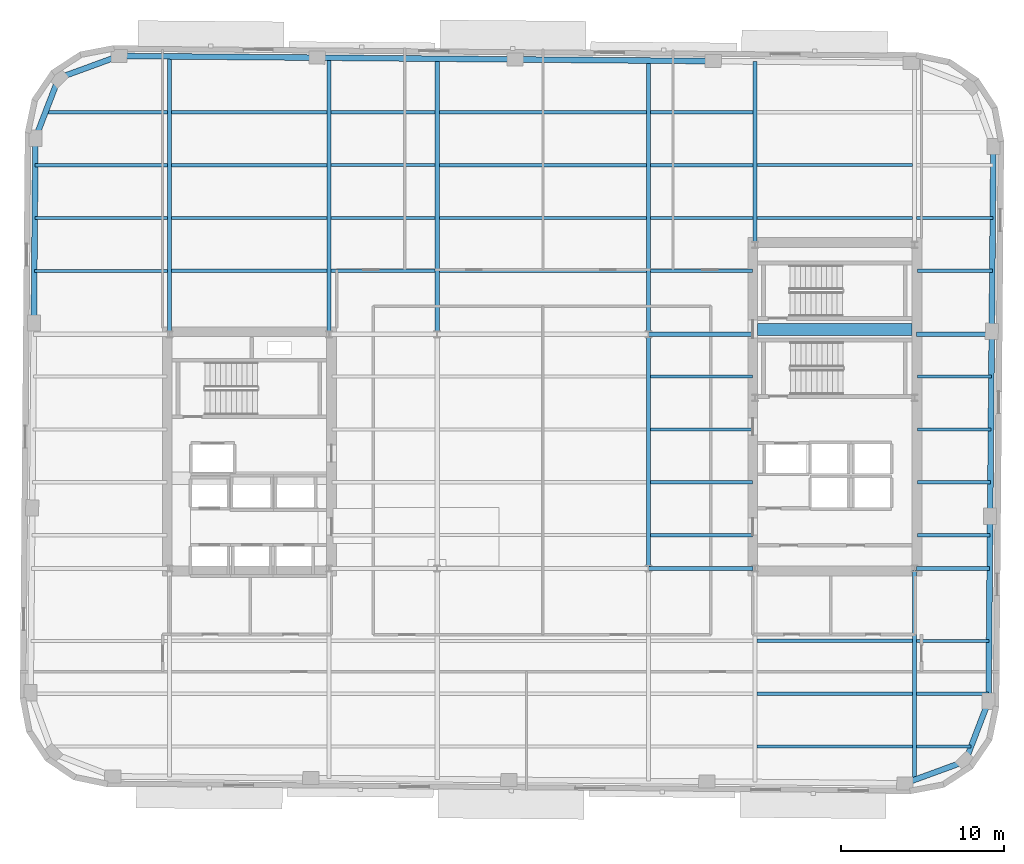
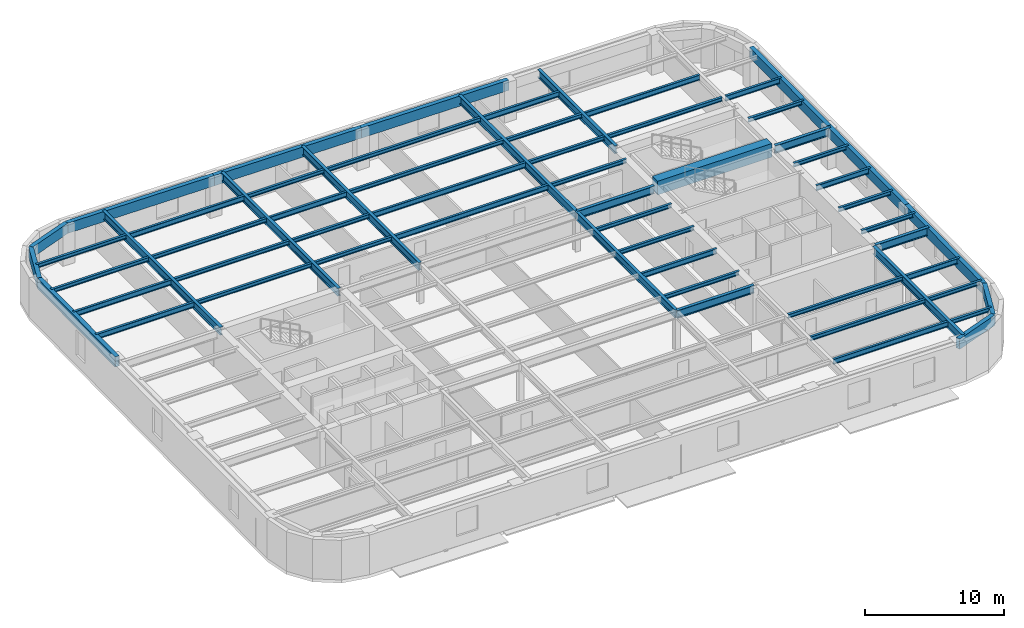
# One storey, part 2 of 10: 61 beams.
"""IFC4 building model written with IfcOpenShell, lengths in metres."""

import ifcopenshell
import ifcopenshell.guid

model = None  # the IFC model being written
_history = None  # IfcOwnerHistory: only IFC2X3 demands one
_inside = {}  # id of a spatial element -> (the spatial element, [elements in it])
_under = {}  # id of a project, library or spatial element -> (it, [spatial elements below it])
_declared = {}  # id of a project -> (the project, [libraries it declares])
_typed = {}  # id of a type object -> (the type object, [elements of that type])
_made_of = {}  # id of a material, layer set ... -> (it, [elements and type objects made of it])


def new_model(schema):
    """Start an empty IFC model of exactly this schema.

    Asked for "IFC4X3", IfcOpenShell would pick the latest addendum, in which some entities
    have other attributes; the version numbers below select the first issue.
    IFC2X3 requires an IfcOwnerHistory on every rooted entity: one is made here for all.
    """
    global model, _history
    if schema == "IFC4X3":
        model = ifcopenshell.file(schema_version=(4, 3, 0, 0))
    else:
        model = ifcopenshell.file(schema=schema)
    _inside.clear()
    _under.clear()
    _declared.clear()
    _typed.clear()
    _made_of.clear()
    _history = None
    if model.schema == "IFC2X3":
        org = make("IfcOrganization", Name="unknown")
        user = make(
            "IfcPersonAndOrganization",
            ThePerson=make("IfcPerson", FamilyName="unknown"),
            TheOrganization=org,
        )
        app = make(
            "IfcApplication",
            ApplicationDeveloper=org,
            Version="unknown",
            ApplicationFullName="unknown",
            ApplicationIdentifier="unknown",
        )
        _history = make(
            "IfcOwnerHistory",
            OwningUser=user,
            OwningApplication=app,
            ChangeAction="ADDED",
            CreationDate=0,
        )
    return model


def make(cls, **values):
    """One entity of the class cls with the attributes given. An attribute that is None is left unset."""
    return model.create_entity(
        cls, **{name: value for name, value in values.items() if value is not None}
    )


def rooted(cls, **values):
    """An entity with a GlobalId (a new one), such as an element, a storey or a relation."""
    return make(cls, GlobalId=ifcopenshell.guid.new(), OwnerHistory=_history, **values)


def si_unit(unit_type, name, prefix=None):
    """IfcSIUnit, for example si_unit("LENGTHUNIT", "METRE", prefix="MILLI")."""
    return make("IfcSIUnit", UnitType=unit_type, Prefix=prefix, Name=name)


def assignment(units):
    """IfcUnitAssignment: the units of a project."""
    return None if units is None else make("IfcUnitAssignment", Units=units)


def point(xyz):
    """IfcCartesianPoint."""
    return None if xyz is None else make("IfcCartesianPoint", Coordinates=xyz)


def direction(xyz):
    """IfcDirection."""
    return None if xyz is None else make("IfcDirection", DirectionRatios=xyz)


def frame(location, z_axis=None, x_axis=None):
    """IfcAxis2Placement3D, a coordinate frame: its origin and axes. An axis left out is left unset."""
    return make(
        "IfcAxis2Placement3D",
        Location=point(location),
        Axis=direction(z_axis),
        RefDirection=direction(x_axis),
    )


def frame_2d(location, x_axis=None):
    """IfcAxis2Placement2D, a coordinate frame in the plane: its origin and x axis."""
    return make(
        "IfcAxis2Placement2D", Location=point(location), RefDirection=direction(x_axis)
    )


def origin():
    """The frame at (0, 0, 0) with its axes left unset."""
    return frame((0.0, 0.0, 0.0))


def origin_2d():
    """The frame at (0, 0) in the plane with its x axis left unset."""
    return frame_2d((0.0, 0.0))


def place(relative_to, where):
    """IfcLocalPlacement: puts the frame where relative to a parent placement (None: the world)."""
    return make(
        "IfcLocalPlacement", PlacementRelTo=relative_to, RelativePlacement=where
    )


def context(
    kind, dimensions, precision=None, world=None, true_north=None, identifier=None
):
    """IfcGeometricRepresentationContext, for example the 3D "Model" context."""
    return make(
        "IfcGeometricRepresentationContext",
        ContextIdentifier=identifier,
        ContextType=kind,
        CoordinateSpaceDimension=dimensions,
        Precision=precision,
        WorldCoordinateSystem=world,
        TrueNorth=true_north,
    )


def subcontext(parent, identifier, kind, view, scale=None):
    """IfcGeometricRepresentationSubContext, for example "Body" below "Model"."""
    return make(
        "IfcGeometricRepresentationSubContext",
        ContextIdentifier=identifier,
        ContextType=kind,
        ParentContext=parent,
        TargetScale=scale,
        TargetView=view,
    )


def project(units=None, contexts=None):
    """IfcProject with its units and contexts."""
    return rooted(
        "IfcProject",
        Name="project",
        RepresentationContexts=contexts,
        UnitsInContext=assignment(units),
    )


def spatial(cls, under=None, at=None, **own):
    """A site, building, storey or space (cls), placed at a placement, below another one or the project."""
    s = rooted(cls, ObjectPlacement=at, **own)
    if under is not None:
        _under.setdefault(under.id(), (under, []))[1].append(s)
    return s


def profile(cls, at=None, kind="AREA", **sizes):
    """A parametric profile (cls). Its sizes go by their IFC names, for example OverallWidth=200.0."""
    return make(cls, ProfileType=kind, Position=at, **sizes)


def rectangle(**sizes):
    """IfcRectangleProfileDef."""
    return profile("IfcRectangleProfileDef", **sizes)


def hollow_rectangle(**sizes):
    """IfcRectangleHollowProfileDef."""
    return profile("IfcRectangleHollowProfileDef", **sizes)


def i_section(**sizes):
    """IfcIShapeProfileDef."""
    return profile("IfcIShapeProfileDef", **sizes)


def extrude(swept, where, along, depth):
    """IfcExtrudedAreaSolid: the profile swept, set in the frame where, extruded along a direction by depth."""
    return make(
        "IfcExtrudedAreaSolid",
        SweptArea=swept,
        Position=where,
        ExtrudedDirection=direction(along),
        Depth=depth,
    )


def shape(context_of_items, identifier, shape_type, items):
    """IfcShapeRepresentation: the items that make up one representation, for example the "Body"."""
    return make(
        "IfcShapeRepresentation",
        ContextOfItems=context_of_items,
        RepresentationIdentifier=identifier,
        RepresentationType=shape_type,
        Items=items,
    )


def material(Name=None, Category=None):
    """IfcMaterial."""
    return make("IfcMaterial", Name=Name, Category=Category)


def material_profile(
    of_material, cross_section, Name=None, Category=None, Priority=None
):
    """IfcMaterialProfile: a cross section and its material."""
    return make(
        "IfcMaterialProfile",
        Name=Name,
        Material=of_material,
        Profile=cross_section,
        Priority=Priority,
        Category=Category,
    )


def profile_set(profiles, Name=None, composite=None):
    """IfcMaterialProfileSet."""
    return make(
        "IfcMaterialProfileSet",
        Name=Name,
        MaterialProfiles=profiles,
        CompositeProfile=composite,
    )


def made_of(thing, what):
    """Note that an element or type object is made of a material, layer set ...; save() writes the relation."""
    if what is not None:
        _made_of.setdefault(what.id(), (what, []))[1].append(thing)
    return thing


def type_object(cls, material=None, **own):
    """A type object (cls), such as IfcWallType, which elements share."""
    return made_of(rooted(cls, **own), material)


def element(
    cls,
    number,
    at=None,
    inside=None,
    cuts=None,
    type_object=None,
    material=None,
    context=None,
    identifier="Body",
    shape_type=None,
    held_by="IfcProductDefinitionShape",
    body=None,
    shapes=None,
    **own,
):
    """One element of the class cls, such as IfcWall. Its Tag is "e" and its number.

    at: its placement. inside: the storey or other place that contains it. cuts: it is an
    opening in that element (IfcRelVoidsElement). A single representation is given by context,
    identifier, shape_type and body (its items); several are given by shapes. held_by: the class
    of the entity that holds the representations. save() writes the other relations.
    """
    e = rooted(cls, Tag="e%d" % number, ObjectPlacement=at, **own)
    if body is not None:
        shapes = [shape(context, identifier, shape_type, body)]
    if shapes is not None:
        e.Representation = make(held_by, Representations=shapes)
    if inside is not None:
        _inside.setdefault(inside.id(), (inside, []))[1].append(e)
    if cuts is not None:
        rooted(
            "IfcRelVoidsElement", RelatingBuildingElement=cuts, RelatedOpeningElement=e
        )
    if type_object is not None:
        _typed.setdefault(type_object.id(), (type_object, []))[1].append(e)
    return made_of(e, material)


def aggregate(whole, parts):
    """IfcRelAggregates: a whole, such as a stair, and the parts it consists of."""
    return rooted("IfcRelAggregates", RelatingObject=whole, RelatedObjects=parts)


def save(model, path):
    """Write the relations noted so far, then the file.

    IfcRelAggregates (storeys below a building ...), IfcRelContainedInSpatialStructure (elements
    in a storey), IfcRelDefinesByType, IfcRelAssociatesMaterial and IfcRelDeclares: one each for
    every whole, place, type object, material and project.
    """
    for whole, parts in _under.values():
        aggregate(whole, parts)
    for where, things in _inside.values():
        rooted(
            "IfcRelContainedInSpatialStructure",
            RelatedElements=things,
            RelatingStructure=where,
        )
    for kind, things in _typed.values():
        rooted("IfcRelDefinesByType", RelatedObjects=things, RelatingType=kind)
    for what, things in _made_of.values():
        rooted("IfcRelAssociatesMaterial", RelatedObjects=things, RelatingMaterial=what)
    for by, libraries in _declared.values():
        rooted("IfcRelDeclares", RelatingContext=by, RelatedDefinitions=libraries)
    model.write(path)


model = new_model("IFC4")

# Units and contexts
model_context = context("Model", 3, precision=1e-05, world=origin(), true_north=direction((0.0, 1.0)))
body_context = subcontext(model_context, "Body", "Model", "MODEL_VIEW")
ifc_project = project(units=[si_unit("LENGTHUNIT", "METRE"), si_unit("AREAUNIT", "SQUARE_METRE"), si_unit("VOLUMEUNIT", "CUBIC_METRE"), si_unit("PLANEANGLEUNIT", "RADIAN"), si_unit("MASSUNIT", "GRAM", prefix="KILO")], contexts=[model_context])

# Site, building, storey
site_placement = place(None, origin())
site = spatial("IfcSite", under=ifc_project, at=site_placement, CompositionType="ELEMENT")
building_placement = place(site_placement, origin())
building = spatial("IfcBuilding", under=site, at=building_placement, Name="Kolvaren Arena Tower", CompositionType="ELEMENT")
storey_placement = place(building_placement, frame((0.0, 0.0, 192.199951171875)))
storey = spatial("IfcBuildingStorey", under=building, at=storey_placement, Name="L46", CompositionType="ELEMENT", Elevation=192.199951171875)

# Beams
ifc_material_1 = material(Name="Steel CSA G40.21 350W", Category="steel")
ifc_material_profile_1 = material_profile(ifc_material_1, i_section(OverallWidth=0.193115234375, OverallDepth=0.462890625, WebThickness=0.0107421875, FlangeThickness=0.0205078125, FilletRadius=0.012939453125, at=origin_2d()), Name="W460x113")
ifc_profile_set_1 = profile_set([ifc_material_profile_1], Name="Steel CSA G40.21 350W")
beam_type_1 = type_object("IfcBeamType", Name="BEAM-F2", PredefinedType="BEAM", material=ifc_profile_set_1)
beam_1_placement = place(storey_placement, frame((50.677490234375, 8.5, 3.24853515625), z_axis=(1.0, 0.0, 0.0), x_axis=(0.0, 1.0, 0.0)))
element("IfcBeam", 1, at=beam_1_placement, inside=storey, type_object=beam_type_1, Name="Composite Floor Beam (L46)", PredefinedType="BEAM", context=body_context, shape_type="SweptSolid", body=[
    extrude(i_section(OverallWidth=0.193115234375, OverallDepth=0.462890625, WebThickness=0.0107421875, FlangeThickness=0.0205078125, FilletRadius=0.012939453125, at=origin_2d()), origin(), (0.0, 0.0, 1.0), 9.544921875),
])
beam_2_placement = place(storey_placement, frame((60.4775390625, 15.0, 3.24853515625), z_axis=(1.0, 0.0, 0.0), x_axis=(0.0, 1.0, 0.0)))
element("IfcBeam", 2, at=beam_2_placement, inside=storey, type_object=beam_type_1, Name="Composite Floor Beam (L46)", PredefinedType="BEAM", context=body_context, shape_type="SweptSolid", body=[
    extrude(i_section(OverallWidth=0.193115234375, OverallDepth=0.462890625, WebThickness=0.0107421875, FlangeThickness=0.0205078125, FilletRadius=0.012939453125, at=origin_2d()), origin(), (0.0, 0.0, 1.0), 4.454833984375),
])
beam_3_placement = place(storey_placement, frame((44.12744140625, 24.75, 3.24853515625), z_axis=(1.0, 0.0, 0.0), x_axis=(0.0, 1.0, 0.0)))
element("IfcBeam", 3, at=beam_3_placement, inside=storey, type_object=beam_type_1, Name="Composite Floor Beam (L46)", PredefinedType="BEAM", context=body_context, shape_type="SweptSolid", body=[
    extrude(i_section(OverallWidth=0.193115234375, OverallDepth=0.462890625, WebThickness=0.0107421875, FlangeThickness=0.0205078125, FilletRadius=0.012939453125, at=origin_2d()), origin(), (0.0, 0.0, 1.0), 6.25244140625),
])
beam_4_placement = place(storey_placement, frame((60.52001953125, 28.0, 3.24853515625), z_axis=(1.0, 0.0, 0.0), x_axis=(0.0, 1.0, 0.0)))
element("IfcBeam", 4, at=beam_4_placement, inside=storey, type_object=beam_type_1, Name="Composite Floor Beam (L46)", PredefinedType="BEAM", context=body_context, shape_type="SweptSolid", body=[
    extrude(i_section(OverallWidth=0.193115234375, OverallDepth=0.462890625, WebThickness=0.0107421875, FlangeThickness=0.0205078125, FilletRadius=0.012939453125, at=origin_2d()), origin(), (0.0, 0.0, 1.0), 4.52587890625),
])
beam_5_placement = place(storey_placement, frame((6.228759765625, 37.75, 3.24853515625), z_axis=(1.0, 0.0, 0.0), x_axis=(0.0, 1.0, 0.0)))
element("IfcBeam", 5, at=beam_5_placement, inside=storey, type_object=beam_type_1, Name="Composite Floor Beam (L46)", PredefinedType="BEAM", context=body_context, shape_type="SweptSolid", body=[
    extrude(i_section(OverallWidth=0.193115234375, OverallDepth=0.462890625, WebThickness=0.0107421875, FlangeThickness=0.0205078125, FilletRadius=0.012939453125, at=origin_2d()), origin(), (0.0, 0.0, 1.0), 8.19384765625),
])
beam_6_placement = place(storey_placement, frame((31.12744140625, 37.75, 3.24853515625), z_axis=(1.0, 0.0, 0.0), x_axis=(0.0, 1.0, 0.0)))
element("IfcBeam", 6, at=beam_6_placement, inside=storey, type_object=beam_type_1, Name="Composite Floor Beam (L46)", PredefinedType="BEAM", context=body_context, shape_type="SweptSolid", body=[
    extrude(i_section(OverallWidth=0.193115234375, OverallDepth=0.462890625, WebThickness=0.0107421875, FlangeThickness=0.0205078125, FilletRadius=0.012939453125, at=origin_2d()), origin(), (0.0, 0.0, 1.0), 12.7451171875),
])
beam_7_placement = place(storey_placement, frame((6.257080078125, 41.0, 3.24853515625), z_axis=(1.0, 0.0, 0.0), x_axis=(0.0, 1.0, 0.0)))
element("IfcBeam", 7, at=beam_7_placement, inside=storey, type_object=beam_type_1, Name="Composite Floor Beam (L46)", PredefinedType="BEAM", context=body_context, shape_type="SweptSolid", body=[
    extrude(i_section(OverallWidth=0.193115234375, OverallDepth=0.462890625, WebThickness=0.0107421875, FlangeThickness=0.0205078125, FilletRadius=0.012939453125, at=origin_2d()), origin(), (0.0, 0.0, 1.0), 8.16552734375),
])
beam_8_placement = place(storey_placement, frame((31.12744140625, 41.0, 3.24853515625), z_axis=(1.0, 0.0, 0.0), x_axis=(0.0, 1.0, 0.0)))
element("IfcBeam", 8, at=beam_8_placement, inside=storey, type_object=beam_type_1, Name="Composite Floor Beam (L46)", PredefinedType="BEAM", context=body_context, shape_type="SweptSolid", body=[
    extrude(i_section(OverallWidth=0.193115234375, OverallDepth=0.462890625, WebThickness=0.0107421875, FlangeThickness=0.0205078125, FilletRadius=0.012939453125, at=origin_2d()), origin(), (0.0, 0.0, 1.0), 12.7451171875),
])
beam_9_placement = place(storey_placement, frame((60.4775390625, 41.0, 3.24853515625), z_axis=(1.0, 0.0, 0.0), x_axis=(0.0, 1.0, 0.0)))
element("IfcBeam", 9, at=beam_9_placement, inside=storey, type_object=beam_type_1, Name="Composite Floor Beam (L46)", PredefinedType="BEAM", context=body_context, shape_type="SweptSolid", body=[
    extrude(i_section(OverallWidth=0.193115234375, OverallDepth=0.462890625, WebThickness=0.0107421875, FlangeThickness=0.0205078125, FilletRadius=0.012939453125, at=origin_2d()), origin(), (0.0, 0.0, 1.0), 4.681884765625),
])
beam_10_placement = place(storey_placement, frame((24.4775390625, 44.25, 3.24853515625), z_axis=(1.0, 0.0, 0.0), x_axis=(0.0, 1.0, 0.0)))
element("IfcBeam", 10, at=beam_10_placement, inside=storey, type_object=beam_type_1, Name="Composite Floor Beam (L46)", PredefinedType="BEAM", context=body_context, shape_type="SweptSolid", body=[
    extrude(i_section(OverallWidth=0.193115234375, OverallDepth=0.462890625, WebThickness=0.0107421875, FlangeThickness=0.0205078125, FilletRadius=0.012939453125, at=origin_2d()), origin(), (0.0, 0.0, 1.0), 6.39501953125),
])
for number, where, z_axis, x_axis, name in (
    (11, (50.677490234375, 44.25, 3.24853515625), (1.0, 0.0, 0.0), (0.0, 1.0, 0.0), "Composite Floor Beam (L46)"),
    (12, (14.677490234375, 47.5, 3.24853515625), (1.0, 0.0, 0.0), (0.0, 1.0, 0.0), "Composite Floor Beam (L46)"),
):
    element("IfcBeam", number, at=place(storey_placement, frame(where, z_axis=z_axis, x_axis=x_axis)), inside=storey, type_object=beam_type_1, Name=name, PredefinedType="BEAM", context=body_context, shape_type="SweptSolid", body=[
        extrude(i_section(OverallWidth=0.193115234375, OverallDepth=0.462890625, WebThickness=0.0107421875, FlangeThickness=0.0205078125, FilletRadius=0.012939453125, at=origin_2d()), origin(), (0.0, 0.0, 1.0), 9.544921875),
    ])
beam_11_placement = place(storey_placement, frame((44.12744140625, 47.5, 3.24853515625), z_axis=(1.0, 0.0, 0.0), x_axis=(0.0, 1.0, 0.0)))
element("IfcBeam", 13, at=beam_11_placement, inside=storey, type_object=beam_type_1, Name="Composite Floor Beam (L46)", PredefinedType="BEAM", context=body_context, shape_type="SweptSolid", body=[
    extrude(i_section(OverallWidth=0.193115234375, OverallDepth=0.462890625, WebThickness=0.0107421875, FlangeThickness=0.0205078125, FilletRadius=0.012939453125, at=origin_2d()), origin(), (0.0, 0.0, 1.0), 6.295166015625),
])
ifc_material_2 = material(Name="Concrete 60 MPa", Category="concrete")
ifc_material_profile_2 = material_profile(ifc_material_2, rectangle(XDim=0.75, YDim=1.199951171875, at=origin_2d()), Name="RC-750x1200")
ifc_profile_set_2 = profile_set([ifc_material_profile_2], Name="Concrete 60 MPa")
beam_type_2 = type_object("IfcBeamType", Name="CB-CORE-2", PredefinedType="BEAM", material=ifc_profile_set_2)
beam_12_placement = place(storey_placement, frame((50.699951171875, 34.14990234375, 3.150146484375), z_axis=(1.0, 0.0, 0.0), x_axis=(0.0, 1.0, 0.0)))
element("IfcBeam", 14, at=beam_12_placement, inside=storey, type_object=beam_type_2, Name="East Core Coupling Beam (L46)", PredefinedType="BEAM", context=body_context, shape_type="SweptSolid", body=[
    extrude(rectangle(XDim=0.75, YDim=1.199951171875, at=origin_2d()), origin(), (0.0, 0.0, 1.0), 9.5),
])
ifc_material_profile_3 = material_profile(ifc_material_1, i_section(OverallWidth=0.2548828125, OverallDepth=0.695068359375, WebThickness=0.01708984375, FlangeThickness=0.02978515625, FilletRadius=0.01611328125, at=origin_2d()), Name="W690x217")
ifc_profile_set_3 = profile_set([ifc_material_profile_3], Name="Steel CSA G40.21 350W")
beam_type_3 = type_object("IfcBeamType", Name="GIRD-T2", PredefinedType="BEAM", material=ifc_profile_set_3)
beam_13_placement = place(storey_placement, frame((44.0, 19.449951171875, 3.132568359375), z_axis=(1.0, 0.0, 0.0), x_axis=(0.0, 1.0, 0.0)))
element("IfcBeam", 15, at=beam_13_placement, inside=storey, type_object=beam_type_3, Name="Primary Floor Girder (L46)", PredefinedType="BEAM", context=body_context, shape_type="SweptSolid", body=[
    extrude(i_section(OverallWidth=0.2548828125, OverallDepth=0.695068359375, WebThickness=0.01708984375, FlangeThickness=0.02978515625, FilletRadius=0.01611328125, at=origin_2d()), origin(), (0.0, 0.0, 1.0), 6.419921875),
])
beam_14_placement = place(storey_placement, frame((60.47998046875, 19.449951171875, 3.132568359375), z_axis=(1.0, 0.0, 0.0), x_axis=(0.0, 1.0, 0.0)))
element("IfcBeam", 16, at=beam_14_placement, inside=storey, type_object=beam_type_3, Name="Primary Floor Girder (L46)", PredefinedType="BEAM", context=body_context, shape_type="SweptSolid", body=[
    extrude(i_section(OverallWidth=0.2548828125, OverallDepth=0.695068359375, WebThickness=0.01708984375, FlangeThickness=0.02978515625, FilletRadius=0.01611328125, at=origin_2d()), origin(), (0.0, 0.0, 1.0), 4.4912109375),
])
beam_15_placement = place(storey_placement, frame((44.0, 33.85009765625, 3.132568359375), z_axis=(1.0, 0.0, 0.0), x_axis=(0.0, 1.0, 0.0)))
element("IfcBeam", 17, at=beam_15_placement, inside=storey, type_object=beam_type_3, Name="Primary Floor Girder (L46)", PredefinedType="BEAM", context=body_context, shape_type="SweptSolid", body=[
    extrude(i_section(OverallWidth=0.2548828125, OverallDepth=0.695068359375, WebThickness=0.01708984375, FlangeThickness=0.02978515625, FilletRadius=0.01611328125, at=origin_2d()), origin(), (0.0, 0.0, 1.0), 6.419921875),
])
beam_16_placement = place(storey_placement, frame((60.47998046875, 33.85009765625, 3.132568359375), z_axis=(1.0, 0.0, 0.0), x_axis=(0.0, 1.0, 0.0)))
element("IfcBeam", 18, at=beam_16_placement, inside=storey, type_object=beam_type_3, Name="Primary Floor Girder (L46)", PredefinedType="BEAM", context=body_context, shape_type="SweptSolid", body=[
    extrude(i_section(OverallWidth=0.2548828125, OverallDepth=0.695068359375, WebThickness=0.01708984375, FlangeThickness=0.02978515625, FilletRadius=0.01611328125, at=origin_2d()), origin(), (0.0, 0.0, 1.0), 4.616943359375),
])
beam_17_placement = place(storey_placement, frame((14.550048828125, 33.97998046875, 3.132568359375), z_axis=(0.0, 1.0, 0.0), x_axis=(-1.0, 0.0, 0.0)))
element("IfcBeam", 19, at=beam_17_placement, inside=storey, type_object=beam_type_3, Name="Primary Floor Girder (L46)", PredefinedType="BEAM", context=body_context, shape_type="SweptSolid", body=[
    extrude(i_section(OverallWidth=0.2548828125, OverallDepth=0.695068359375, WebThickness=0.01708984375, FlangeThickness=0.02978515625, FilletRadius=0.01611328125, at=origin_2d()), origin(), (0.0, 0.0, 1.0), 16.95458984375),
])
beam_18_placement = place(storey_placement, frame((24.35009765625, 33.97998046875, 3.132568359375), z_axis=(0.0, 1.0, 0.0), x_axis=(-1.0, 0.0, 0.0)))
element("IfcBeam", 20, at=beam_18_placement, inside=storey, type_object=beam_type_3, Name="Primary Floor Girder (L46)", PredefinedType="BEAM", context=body_context, shape_type="SweptSolid", body=[
    extrude(i_section(OverallWidth=0.2548828125, OverallDepth=0.695068359375, WebThickness=0.01708984375, FlangeThickness=0.02978515625, FilletRadius=0.01611328125, at=origin_2d()), origin(), (0.0, 0.0, 1.0), 16.869140625),
])
beam_19_placement = place(storey_placement, frame((31.0, 33.85009765625, 3.132568359375), z_axis=(0.0, 1.0, 0.0), x_axis=(-1.0, 0.0, 0.0)))
element("IfcBeam", 21, at=beam_19_placement, inside=storey, type_object=beam_type_3, Name="Primary Floor Girder (L46)", PredefinedType="BEAM", context=body_context, shape_type="SweptSolid", body=[
    extrude(i_section(OverallWidth=0.2548828125, OverallDepth=0.695068359375, WebThickness=0.01708984375, FlangeThickness=0.02978515625, FilletRadius=0.01611328125, at=origin_2d()), origin(), (0.0, 0.0, 1.0), 16.94091796875),
])
beam_20_placement = place(storey_placement, frame((44.0, 19.449951171875, 3.132568359375), z_axis=(0.0, 1.0, 0.0), x_axis=(-1.0, 0.0, 0.0)))
element("IfcBeam", 22, at=beam_20_placement, inside=storey, type_object=beam_type_3, Name="Primary Floor Girder (L46)", PredefinedType="BEAM", context=body_context, shape_type="SweptSolid", body=[
    extrude(i_section(OverallWidth=0.2548828125, OverallDepth=0.695068359375, WebThickness=0.01708984375, FlangeThickness=0.02978515625, FilletRadius=0.01611328125, at=origin_2d()), origin(), (0.0, 0.0, 1.0), 14.400146484375),
])
beam_21_placement = place(storey_placement, frame((44.0, 33.85009765625, 3.132568359375), z_axis=(0.0, 1.0, 0.0), x_axis=(-1.0, 0.0, 0.0)))
element("IfcBeam", 23, at=beam_21_placement, inside=storey, type_object=beam_type_3, Name="Primary Floor Girder (L46)", PredefinedType="BEAM", context=body_context, shape_type="SweptSolid", body=[
    extrude(i_section(OverallWidth=0.2548828125, OverallDepth=0.695068359375, WebThickness=0.01708984375, FlangeThickness=0.02978515625, FilletRadius=0.01611328125, at=origin_2d()), origin(), (0.0, 0.0, 1.0), 16.827392578125),
])
beam_22_placement = place(storey_placement, frame((50.550048828125, 39.47998046875, 3.132568359375), z_axis=(0.0, 1.0, 0.0), x_axis=(-1.0, 0.0, 0.0)))
element("IfcBeam", 24, at=beam_22_placement, inside=storey, type_object=beam_type_3, Name="Primary Floor Girder (L46)", PredefinedType="BEAM", context=body_context, shape_type="SweptSolid", body=[
    extrude(i_section(OverallWidth=0.2548828125, OverallDepth=0.695068359375, WebThickness=0.01708984375, FlangeThickness=0.02978515625, FilletRadius=0.01611328125, at=origin_2d()), origin(), (0.0, 0.0, 1.0), 11.140380859375),
])
beam_23_placement = place(storey_placement, frame((60.35009765625, 6.455322265625, 3.132568359375), z_axis=(0.0, 1.0, 0.0), x_axis=(-1.0, 0.0, 0.0)))
element("IfcBeam", 25, at=beam_23_placement, inside=storey, type_object=beam_type_3, Name="Primary Floor Girder (L46)", PredefinedType="BEAM", context=body_context, shape_type="SweptSolid", body=[
    extrude(i_section(OverallWidth=0.2548828125, OverallDepth=0.695068359375, WebThickness=0.01708984375, FlangeThickness=0.02978515625, FilletRadius=0.01611328125, at=origin_2d()), origin(), (0.0, 0.0, 1.0), 12.86474609375),
])
ifc_material_profile_4 = material_profile(ifc_material_1, i_section(OverallWidth=0.202880859375, OverallDepth=0.346923828125, WebThickness=0.0078125, FlangeThickness=0.013427734375, FilletRadius=0.010986328125, at=origin_2d()), Name="W360x64")
ifc_profile_set_4 = profile_set([ifc_material_profile_4], Name="Steel CSA G40.21 350W")
beam_type_4 = type_object("IfcBeamType", Name="JOIST-01", PredefinedType="JOIST", material=ifc_profile_set_4)
beam_24_placement = place(storey_placement, frame((60.4775390625, 8.5, 3.306640625), z_axis=(1.0, 0.0, 0.0), x_axis=(0.0, 1.0, 0.0)))
element("IfcBeam", 26, at=beam_24_placement, inside=storey, type_object=beam_type_4, Name="Composite Floor Joist (L46)", PredefinedType="JOIST", context=body_context, shape_type="SweptSolid", body=[
    extrude(i_section(OverallWidth=0.202880859375, OverallDepth=0.346923828125, WebThickness=0.0078125, FlangeThickness=0.013427734375, FilletRadius=0.010986328125, at=origin_2d()), origin(), (0.0, 0.0, 1.0), 3.3466796875),
])
beam_25_placement = place(storey_placement, frame((50.677490234375, 11.75, 3.306640625), z_axis=(1.0, 0.0, 0.0), x_axis=(0.0, 1.0, 0.0)))
element("IfcBeam", 27, at=beam_25_placement, inside=storey, type_object=beam_type_4, Name="Composite Floor Joist (L46)", PredefinedType="JOIST", context=body_context, shape_type="SweptSolid", body=[
    extrude(i_section(OverallWidth=0.202880859375, OverallDepth=0.346923828125, WebThickness=0.0078125, FlangeThickness=0.013427734375, FilletRadius=0.010986328125, at=origin_2d()), origin(), (0.0, 0.0, 1.0), 9.544921875),
])
beam_26_placement = place(storey_placement, frame((60.4775390625, 11.75, 3.306640625), z_axis=(1.0, 0.0, 0.0), x_axis=(0.0, 1.0, 0.0)))
element("IfcBeam", 28, at=beam_26_placement, inside=storey, type_object=beam_type_4, Name="Composite Floor Joist (L46)", PredefinedType="JOIST", context=body_context, shape_type="SweptSolid", body=[
    extrude(i_section(OverallWidth=0.202880859375, OverallDepth=0.346923828125, WebThickness=0.0078125, FlangeThickness=0.013427734375, FilletRadius=0.010986328125, at=origin_2d()), origin(), (0.0, 0.0, 1.0), 4.426513671875),
])
beam_27_placement = place(storey_placement, frame((50.677490234375, 15.0, 3.306640625), z_axis=(1.0, 0.0, 0.0), x_axis=(0.0, 1.0, 0.0)))
element("IfcBeam", 29, at=beam_27_placement, inside=storey, type_object=beam_type_4, Name="Composite Floor Joist (L46)", PredefinedType="JOIST", context=body_context, shape_type="SweptSolid", body=[
    extrude(i_section(OverallWidth=0.202880859375, OverallDepth=0.346923828125, WebThickness=0.0078125, FlangeThickness=0.013427734375, FilletRadius=0.010986328125, at=origin_2d()), origin(), (0.0, 0.0, 1.0), 9.544921875),
])
beam_28_placement = place(storey_placement, frame((44.12744140625, 21.5, 3.306640625), z_axis=(1.0, 0.0, 0.0), x_axis=(0.0, 1.0, 0.0)))
element("IfcBeam", 30, at=beam_28_placement, inside=storey, type_object=beam_type_4, Name="Composite Floor Joist (L46)", PredefinedType="JOIST", context=body_context, shape_type="SweptSolid", body=[
    extrude(i_section(OverallWidth=0.202880859375, OverallDepth=0.346923828125, WebThickness=0.0078125, FlangeThickness=0.013427734375, FilletRadius=0.010986328125, at=origin_2d()), origin(), (0.0, 0.0, 1.0), 6.25244140625),
])
beam_29_placement = place(storey_placement, frame((60.52001953125, 21.5, 3.306640625), z_axis=(1.0, 0.0, 0.0), x_axis=(0.0, 1.0, 0.0)))
element("IfcBeam", 31, at=beam_29_placement, inside=storey, type_object=beam_type_4, Name="Composite Floor Joist (L46)", PredefinedType="JOIST", context=body_context, shape_type="SweptSolid", body=[
    extrude(i_section(OverallWidth=0.202880859375, OverallDepth=0.346923828125, WebThickness=0.0078125, FlangeThickness=0.013427734375, FilletRadius=0.010986328125, at=origin_2d()), origin(), (0.0, 0.0, 1.0), 4.46923828125),
])
beam_30_placement = place(storey_placement, frame((60.52001953125, 24.75, 3.306640625), z_axis=(1.0, 0.0, 0.0), x_axis=(0.0, 1.0, 0.0)))
element("IfcBeam", 32, at=beam_30_placement, inside=storey, type_object=beam_type_4, Name="Composite Floor Joist (L46)", PredefinedType="JOIST", context=body_context, shape_type="SweptSolid", body=[
    extrude(i_section(OverallWidth=0.202880859375, OverallDepth=0.346923828125, WebThickness=0.0078125, FlangeThickness=0.013427734375, FilletRadius=0.010986328125, at=origin_2d()), origin(), (0.0, 0.0, 1.0), 4.49755859375),
])
for number, where, z_axis, x_axis, name in (
    (33, (44.12744140625, 28.0, 3.306640625), (1.0, 0.0, 0.0), (0.0, 1.0, 0.0), "Composite Floor Joist (L46)"),
    (34, (44.12744140625, 31.25, 3.306640625), (1.0, 0.0, 0.0), (0.0, 1.0, 0.0), "Composite Floor Joist (L46)"),
):
    element("IfcBeam", number, at=place(storey_placement, frame(where, z_axis=z_axis, x_axis=x_axis)), inside=storey, type_object=beam_type_4, Name=name, PredefinedType="JOIST", context=body_context, shape_type="SweptSolid", body=[
        extrude(i_section(OverallWidth=0.202880859375, OverallDepth=0.346923828125, WebThickness=0.0078125, FlangeThickness=0.013427734375, FilletRadius=0.010986328125, at=origin_2d()), origin(), (0.0, 0.0, 1.0), 6.25244140625),
    ])
beam_31_placement = place(storey_placement, frame((60.52001953125, 31.25, 3.306640625), z_axis=(1.0, 0.0, 0.0), x_axis=(0.0, 1.0, 0.0)))
element("IfcBeam", 35, at=beam_31_placement, inside=storey, type_object=beam_type_4, Name="Composite Floor Joist (L46)", PredefinedType="JOIST", context=body_context, shape_type="SweptSolid", body=[
    extrude(i_section(OverallWidth=0.202880859375, OverallDepth=0.346923828125, WebThickness=0.0078125, FlangeThickness=0.013427734375, FilletRadius=0.010986328125, at=origin_2d()), origin(), (0.0, 0.0, 1.0), 4.55419921875),
])
beam_32_placement = place(storey_placement, frame((14.677490234375, 37.75, 3.306640625), z_axis=(1.0, 0.0, 0.0), x_axis=(0.0, 1.0, 0.0)))
element("IfcBeam", 36, at=beam_32_placement, inside=storey, type_object=beam_type_4, Name="Composite Floor Joist (L46)", PredefinedType="JOIST", context=body_context, shape_type="SweptSolid", body=[
    extrude(i_section(OverallWidth=0.202880859375, OverallDepth=0.346923828125, WebThickness=0.0078125, FlangeThickness=0.013427734375, FilletRadius=0.010986328125, at=origin_2d()), origin(), (0.0, 0.0, 1.0), 9.544921875),
])
beam_33_placement = place(storey_placement, frame((24.4775390625, 37.75, 3.306640625), z_axis=(1.0, 0.0, 0.0), x_axis=(0.0, 1.0, 0.0)))
element("IfcBeam", 37, at=beam_33_placement, inside=storey, type_object=beam_type_4, Name="Composite Floor Joist (L46)", PredefinedType="JOIST", context=body_context, shape_type="SweptSolid", body=[
    extrude(i_section(OverallWidth=0.202880859375, OverallDepth=0.346923828125, WebThickness=0.0078125, FlangeThickness=0.013427734375, FilletRadius=0.010986328125, at=origin_2d()), origin(), (0.0, 0.0, 1.0), 6.39501953125),
])
beam_34_placement = place(storey_placement, frame((44.12744140625, 37.75, 3.306640625), z_axis=(1.0, 0.0, 0.0), x_axis=(0.0, 1.0, 0.0)))
element("IfcBeam", 38, at=beam_34_placement, inside=storey, type_object=beam_type_4, Name="Composite Floor Joist (L46)", PredefinedType="JOIST", context=body_context, shape_type="SweptSolid", body=[
    extrude(i_section(OverallWidth=0.202880859375, OverallDepth=0.346923828125, WebThickness=0.0078125, FlangeThickness=0.013427734375, FilletRadius=0.010986328125, at=origin_2d()), origin(), (0.0, 0.0, 1.0), 6.25244140625),
])
beam_35_placement = place(storey_placement, frame((60.52001953125, 37.75, 3.306640625), z_axis=(1.0, 0.0, 0.0), x_axis=(0.0, 1.0, 0.0)))
element("IfcBeam", 39, at=beam_35_placement, inside=storey, type_object=beam_type_4, Name="Composite Floor Joist (L46)", PredefinedType="JOIST", context=body_context, shape_type="SweptSolid", body=[
    extrude(i_section(OverallWidth=0.202880859375, OverallDepth=0.346923828125, WebThickness=0.0078125, FlangeThickness=0.013427734375, FilletRadius=0.010986328125, at=origin_2d()), origin(), (0.0, 0.0, 1.0), 4.611083984375),
])
beam_36_placement = place(storey_placement, frame((14.677490234375, 41.0, 3.306640625), z_axis=(1.0, 0.0, 0.0), x_axis=(0.0, 1.0, 0.0)))
element("IfcBeam", 40, at=beam_36_placement, inside=storey, type_object=beam_type_4, Name="Composite Floor Joist (L46)", PredefinedType="JOIST", context=body_context, shape_type="SweptSolid", body=[
    extrude(i_section(OverallWidth=0.202880859375, OverallDepth=0.346923828125, WebThickness=0.0078125, FlangeThickness=0.013427734375, FilletRadius=0.010986328125, at=origin_2d()), origin(), (0.0, 0.0, 1.0), 9.544921875),
])
beam_37_placement = place(storey_placement, frame((24.4775390625, 41.0, 3.306640625), z_axis=(1.0, 0.0, 0.0), x_axis=(0.0, 1.0, 0.0)))
element("IfcBeam", 41, at=beam_37_placement, inside=storey, type_object=beam_type_4, Name="Composite Floor Joist (L46)", PredefinedType="JOIST", context=body_context, shape_type="SweptSolid", body=[
    extrude(i_section(OverallWidth=0.202880859375, OverallDepth=0.346923828125, WebThickness=0.0078125, FlangeThickness=0.013427734375, FilletRadius=0.010986328125, at=origin_2d()), origin(), (0.0, 0.0, 1.0), 6.39501953125),
])
beam_38_placement = place(storey_placement, frame((44.12744140625, 41.0, 3.306640625), z_axis=(1.0, 0.0, 0.0), x_axis=(0.0, 1.0, 0.0)))
element("IfcBeam", 42, at=beam_38_placement, inside=storey, type_object=beam_type_4, Name="Composite Floor Joist (L46)", PredefinedType="JOIST", context=body_context, shape_type="SweptSolid", body=[
    extrude(i_section(OverallWidth=0.202880859375, OverallDepth=0.346923828125, WebThickness=0.0078125, FlangeThickness=0.013427734375, FilletRadius=0.010986328125, at=origin_2d()), origin(), (0.0, 0.0, 1.0), 6.295166015625),
])
beam_39_placement = place(storey_placement, frame((50.677490234375, 41.0, 3.306640625), z_axis=(1.0, 0.0, 0.0), x_axis=(0.0, 1.0, 0.0)))
element("IfcBeam", 43, at=beam_39_placement, inside=storey, type_object=beam_type_4, Name="Composite Floor Joist (L46)", PredefinedType="JOIST", context=body_context, shape_type="SweptSolid", body=[
    extrude(i_section(OverallWidth=0.202880859375, OverallDepth=0.346923828125, WebThickness=0.0078125, FlangeThickness=0.013427734375, FilletRadius=0.010986328125, at=origin_2d()), origin(), (0.0, 0.0, 1.0), 9.544921875),
])
beam_40_placement = place(storey_placement, frame((6.285400390625, 44.25, 3.306640625), z_axis=(1.0, 0.0, 0.0), x_axis=(0.0, 1.0, 0.0)))
element("IfcBeam", 44, at=beam_40_placement, inside=storey, type_object=beam_type_4, Name="Composite Floor Joist (L46)", PredefinedType="JOIST", context=body_context, shape_type="SweptSolid", body=[
    extrude(i_section(OverallWidth=0.202880859375, OverallDepth=0.346923828125, WebThickness=0.0078125, FlangeThickness=0.013427734375, FilletRadius=0.010986328125, at=origin_2d()), origin(), (0.0, 0.0, 1.0), 8.13720703125),
])
beam_41_placement = place(storey_placement, frame((14.677490234375, 44.25, 3.306640625), z_axis=(1.0, 0.0, 0.0), x_axis=(0.0, 1.0, 0.0)))
element("IfcBeam", 45, at=beam_41_placement, inside=storey, type_object=beam_type_4, Name="Composite Floor Joist (L46)", PredefinedType="JOIST", context=body_context, shape_type="SweptSolid", body=[
    extrude(i_section(OverallWidth=0.202880859375, OverallDepth=0.346923828125, WebThickness=0.0078125, FlangeThickness=0.013427734375, FilletRadius=0.010986328125, at=origin_2d()), origin(), (0.0, 0.0, 1.0), 9.544921875),
])
beam_42_placement = place(storey_placement, frame((31.12744140625, 44.25, 3.306640625), z_axis=(1.0, 0.0, 0.0), x_axis=(0.0, 1.0, 0.0)))
element("IfcBeam", 46, at=beam_42_placement, inside=storey, type_object=beam_type_4, Name="Composite Floor Joist (L46)", PredefinedType="JOIST", context=body_context, shape_type="SweptSolid", body=[
    extrude(i_section(OverallWidth=0.202880859375, OverallDepth=0.346923828125, WebThickness=0.0078125, FlangeThickness=0.013427734375, FilletRadius=0.010986328125, at=origin_2d()), origin(), (0.0, 0.0, 1.0), 12.7451171875),
])
beam_43_placement = place(storey_placement, frame((44.12744140625, 44.25, 3.306640625), z_axis=(1.0, 0.0, 0.0), x_axis=(0.0, 1.0, 0.0)))
element("IfcBeam", 47, at=beam_43_placement, inside=storey, type_object=beam_type_4, Name="Composite Floor Joist (L46)", PredefinedType="JOIST", context=body_context, shape_type="SweptSolid", body=[
    extrude(i_section(OverallWidth=0.202880859375, OverallDepth=0.346923828125, WebThickness=0.0078125, FlangeThickness=0.013427734375, FilletRadius=0.010986328125, at=origin_2d()), origin(), (0.0, 0.0, 1.0), 6.295166015625),
])
beam_44_placement = place(storey_placement, frame((6.913818359375, 47.5, 3.306640625), z_axis=(1.0, 0.0, 0.0), x_axis=(0.0, 1.0, 0.0)))
element("IfcBeam", 48, at=beam_44_placement, inside=storey, type_object=beam_type_4, Name="Composite Floor Joist (L46)", PredefinedType="JOIST", context=body_context, shape_type="SweptSolid", body=[
    extrude(i_section(OverallWidth=0.202880859375, OverallDepth=0.346923828125, WebThickness=0.0078125, FlangeThickness=0.013427734375, FilletRadius=0.010986328125, at=origin_2d()), origin(), (0.0, 0.0, 1.0), 7.5087890625),
])
beam_45_placement = place(storey_placement, frame((24.4775390625, 47.5, 3.306640625), z_axis=(1.0, 0.0, 0.0), x_axis=(0.0, 1.0, 0.0)))
element("IfcBeam", 49, at=beam_45_placement, inside=storey, type_object=beam_type_4, Name="Composite Floor Joist (L46)", PredefinedType="JOIST", context=body_context, shape_type="SweptSolid", body=[
    extrude(i_section(OverallWidth=0.202880859375, OverallDepth=0.346923828125, WebThickness=0.0078125, FlangeThickness=0.013427734375, FilletRadius=0.010986328125, at=origin_2d()), origin(), (0.0, 0.0, 1.0), 6.39501953125),
])
beam_46_placement = place(storey_placement, frame((31.12744140625, 47.5, 3.306640625), z_axis=(1.0, 0.0, 0.0), x_axis=(0.0, 1.0, 0.0)))
element("IfcBeam", 50, at=beam_46_placement, inside=storey, type_object=beam_type_4, Name="Composite Floor Joist (L46)", PredefinedType="JOIST", context=body_context, shape_type="SweptSolid", body=[
    extrude(i_section(OverallWidth=0.202880859375, OverallDepth=0.346923828125, WebThickness=0.0078125, FlangeThickness=0.013427734375, FilletRadius=0.010986328125, at=origin_2d()), origin(), (0.0, 0.0, 1.0), 12.7451171875),
])
ifc_material_3 = material(Name="Steel CSA G40.21 350WT", Category="steel")
ifc_material_profile_5 = material_profile(ifc_material_3, hollow_rectangle(XDim=0.35009765625, YDim=0.89990234375, WallThickness=0.02001953125, at=origin_2d()), Name="HSS 900x350x20")
ifc_profile_set_5 = profile_set([ifc_material_profile_5], Name="Steel CSA G40.21 350WT")
beam_type_5 = type_object("IfcBeamType", Name="SPAND-01", PredefinedType="SPANDREL", material=ifc_profile_set_5)
for number, where, z_axis, x_axis, name in (
    (51, (59.755859375, 6.23828125, 3.030029296875), (0.939313819882, 0.343059102458, 0.0), (-0.343059102458, 0.939313819882, 0.0), "Perimeter Spandrel Beam (L46)"),
    (52, (63.4765625, 7.59716796875, 3.030029296875), (0.359383792094, 0.933189846698, 0.0), (-0.933189846698, 0.359383792094, 0.0), "Perimeter Spandrel Beam (L46)"),
):
    element("IfcBeam", number, at=place(storey_placement, frame(where, z_axis=z_axis, x_axis=x_axis)), inside=storey, type_object=beam_type_5, Name=name, PredefinedType="SPANDREL", context=body_context, shape_type="SweptSolid", body=[
        extrude(hollow_rectangle(XDim=0.35009765625, YDim=0.89990234375, WallThickness=0.02001953125, at=origin_2d()), origin(), (0.0, 0.0, 1.0), 3.961181640625),
    ])
for number, where, z_axis, x_axis, name in (
    (53, (64.900146484375, 11.293701171875, 3.030029296875), (0.008720348885, 0.999961977035, 0.0), (-0.999961977035, 0.008720348885, 0.0), "Perimeter Spandrel Beam (L46)"),
    (54, (64.999267578125, 22.659912109375, 3.030029296875), (0.008720348885, 0.999961977035, 0.0), (-0.999961977035, 0.008720348885, 0.0), "Perimeter Spandrel Beam (L46)"),
    (55, (65.098388671875, 34.026123046875, 3.030029296875), (0.008741825937, 0.99996178951, 0.0), (-0.99996178951, 0.008741825937, 0.0), "Perimeter Spandrel Beam (L46)"),
):
    element("IfcBeam", number, at=place(storey_placement, frame(where, z_axis=z_axis, x_axis=x_axis)), inside=storey, type_object=beam_type_5, Name=name, PredefinedType="SPANDREL", context=body_context, shape_type="SweptSolid", body=[
        extrude(hollow_rectangle(XDim=0.35009765625, YDim=0.89990234375, WallThickness=0.02001953125, at=origin_2d()), origin(), (0.0, 0.0, 1.0), 11.36669921875),
    ])
beam_47_placement = place(storey_placement, frame((47.9677734375, 50.642822265625, 3.030029296875), z_axis=(-0.999961779919, 0.008742922896, 0.0), x_axis=(-0.008742922896, -0.999961779919, 0.0)))
element("IfcBeam", 56, at=beam_47_placement, inside=storey, type_object=beam_type_5, Name="Perimeter Spandrel Beam (L46)", PredefinedType="SPANDREL", context=body_context, shape_type="SweptSolid", body=[
    extrude(hollow_rectangle(XDim=0.35009765625, YDim=0.89990234375, WallThickness=0.02001953125, at=origin_2d()), origin(), (0.0, 0.0, 1.0), 12.175048828125),
])
beam_48_placement = place(storey_placement, frame((35.793212890625, 50.749267578125, 3.030029296875), z_axis=(-0.999961953504, 0.008723046761, 0.0), x_axis=(-0.008723046761, -0.999961953504, 0.0)))
element("IfcBeam", 57, at=beam_48_placement, inside=storey, type_object=beam_type_5, Name="Perimeter Spandrel Beam (L46)", PredefinedType="SPANDREL", context=body_context, shape_type="SweptSolid", body=[
    extrude(hollow_rectangle(XDim=0.35009765625, YDim=0.89990234375, WallThickness=0.02001953125, at=origin_2d()), origin(), (0.0, 0.0, 1.0), 12.1748046875),
])
beam_49_placement = place(storey_placement, frame((23.618896484375, 50.85546875, 3.030029296875), z_axis=(-0.999961956555, 0.008722696942, 0.0), x_axis=(-0.008722696942, -0.999961956555, 0.0)))
element("IfcBeam", 58, at=beam_49_placement, inside=storey, type_object=beam_type_5, Name="Perimeter Spandrel Beam (L46)", PredefinedType="SPANDREL", context=body_context, shape_type="SweptSolid", body=[
    extrude(hollow_rectangle(XDim=0.35009765625, YDim=0.89990234375, WallThickness=0.02001953125, at=origin_2d()), origin(), (0.0, 0.0, 1.0), 12.17529296875),
])
for number, where, z_axis, x_axis, name in (
    (59, (11.444091796875, 50.961669921875, 3.030029296875), (-0.939313819882, -0.343059102458, 0.0), (0.343059102458, -0.939313819882, 0.0), "Perimeter Spandrel Beam (L46)"),
    (60, (7.723388671875, 49.602783203125, 3.030029296875), (-0.359383792094, -0.933189846698, 0.0), (0.933189846698, -0.359383792094, 0.0), "Perimeter Spandrel Beam (L46)"),
):
    element("IfcBeam", number, at=place(storey_placement, frame(where, z_axis=z_axis, x_axis=x_axis)), inside=storey, type_object=beam_type_5, Name=name, PredefinedType="SPANDREL", context=body_context, shape_type="SweptSolid", body=[
        extrude(hollow_rectangle(XDim=0.35009765625, YDim=0.89990234375, WallThickness=0.02001953125, at=origin_2d()), origin(), (0.0, 0.0, 1.0), 3.961181640625),
    ])
beam_50_placement = place(storey_placement, frame((6.2998046875, 45.90625, 3.030029296875), z_axis=(-0.008720348885, -0.999961977035, 0.0), x_axis=(0.999961977035, -0.008720348885, 0.0)))
element("IfcBeam", 61, at=beam_50_placement, inside=storey, type_object=beam_type_5, Name="Perimeter Spandrel Beam (L46)", PredefinedType="SPANDREL", context=body_context, shape_type="SweptSolid", body=[
    extrude(hollow_rectangle(XDim=0.35009765625, YDim=0.89990234375, WallThickness=0.02001953125, at=origin_2d()), origin(), (0.0, 0.0, 1.0), 11.36669921875),
])

save(model, "model.ifc")
